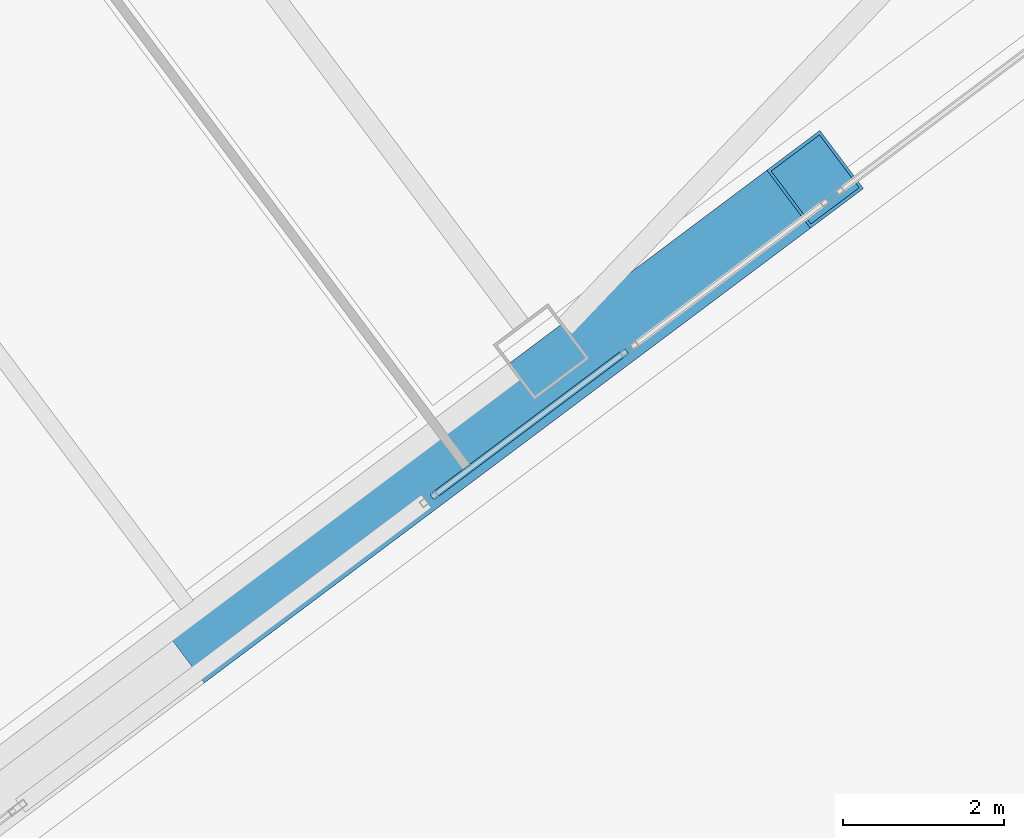
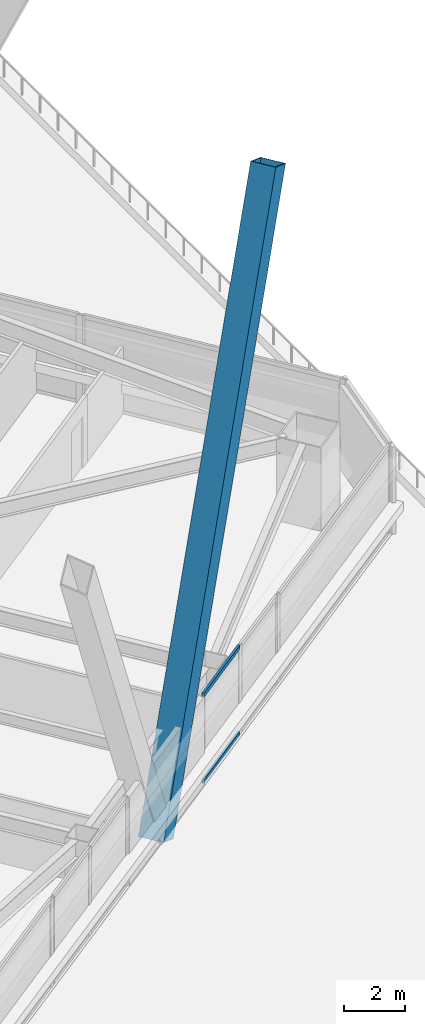
# One storey, part 59 of 83: 3 members, 1 element without a shape of its own.
"""IFC4 building model written with IfcOpenShell, lengths in metres."""

from ifc_helpers import new_model, si_unit, direction, frame, origin, origin_2d, place, context, subcontext, project, spatial, hollow_rectangle, extrude, material, material_profile, profile_set, type_object, element, aggregate, save


model = new_model("IFC4")

# Units and contexts
model_context = context("Model", 3, precision=1e-05, world=origin(), true_north=direction((0.0, 1.0)))
body_context = subcontext(model_context, "Body", "Model", "MODEL_VIEW")
ifc_project = project(units=[si_unit("LENGTHUNIT", "METRE"), si_unit("AREAUNIT", "SQUARE_METRE"), si_unit("VOLUMEUNIT", "CUBIC_METRE"), si_unit("PLANEANGLEUNIT", "RADIAN"), si_unit("MASSUNIT", "GRAM", prefix="KILO")], contexts=[model_context])

# Site, building, storey
site_placement = place(None, origin())
site = spatial("IfcSite", under=ifc_project, at=site_placement, CompositionType="ELEMENT")
building_placement = place(site_placement, origin())
building = spatial("IfcBuilding", under=site, at=building_placement, Name="Tashvorn Skyway Center", CompositionType="ELEMENT")
storey_placement = place(building_placement, frame((0.0, 0.0, 24.60009765625)))
storey = spatial("IfcBuildingStorey", under=building, at=storey_placement, Name="L05", CompositionType="ELEMENT", Elevation=24.60009765625)

# Curtain wall, members
ifc_material_1 = material(Name="Thermally broken bronze-anodized aluminium 6063-T6", Category="aluminium")
curtain_wall_type = type_object("IfcCurtainWallType", Name="CW-CW-Z1", PredefinedType="NOTDEFINED", material=ifc_material_1)
curtain_wall_placement = place(storey_placement, origin())
curtain_wall = element("IfcCurtainWall", 1, at=curtain_wall_placement, inside=storey, type_object=curtain_wall_type, Name="Tower 2 L05 South Unitised Curtain Wall Glazing Group 2", PredefinedType="NOTDEFINED")
ifc_material_profile_1 = material_profile(ifc_material_1, hollow_rectangle(XDim=0.0849609375, YDim=0.1650390625, WallThickness=0.0048828125, at=origin_2d()), Name="ALU-TRAN-85x165")
ifc_profile_set_1 = profile_set([ifc_material_profile_1], Name="Thermally broken bronze-anodized aluminium 6063-T6")
member_type_1 = type_object("IfcMemberType", Name="CWT-CW-Z1", PredefinedType="USERDEFINED", material=ifc_profile_set_1)
member_1_placement = place(storey_placement, frame((132.008544921875, 18.406494140625, 0.04248046875), z_axis=(-0.799990296182, -0.600012938206, 0.0), x_axis=(0.600012938206, -0.799990296182, 0.0)))
member_1 = element("IfcMember", 2, at=member_1_placement, type_object=member_type_1, Name="CW-Z1 transom 2.1", ObjectType="TRANSOM", PredefinedType="USERDEFINED", context=body_context, shape_type="SweptSolid", body=[
    extrude(hollow_rectangle(XDim=0.0849609375, YDim=0.1650390625, WallThickness=0.0048828125, at=origin_2d()), origin(), (0.0, 0.0, 1.0), 3.01904296875),
])
member_2_placement = place(storey_placement, frame((132.008544921875, 18.406494140625, 3.50732421875), z_axis=(-0.799990296182, -0.600012938206, 0.0), x_axis=(0.600012938206, -0.799990296182, 0.0)))
member_2 = element("IfcMember", 3, at=member_2_placement, type_object=member_type_1, Name="CW-Z1 transom 2.2", ObjectType="TRANSOM", PredefinedType="USERDEFINED", context=body_context, shape_type="SweptSolid", body=[
    extrude(hollow_rectangle(XDim=0.0849609375, YDim=0.1650390625, WallThickness=0.0048828125, at=origin_2d()), origin(), (0.0, 0.0, 1.0), 3.01904296875),
])
aggregate(curtain_wall, [member_1, member_2])

# Member
ifc_material_2 = material(Name="Steel ASTM A572 Grade 50", Category="steel")
ifc_material_profile_2 = material_profile(ifc_material_2, hollow_rectangle(XDim=0.89990234375, YDim=0.89990234375, WallThickness=0.0400390625, at=origin_2d()), Name="BOX900x900x40")
ifc_profile_set_2 = profile_set([ifc_material_profile_2], Name="Steel ASTM A572 Grade 50")
member_type_2 = type_object("IfcMemberType", Name="MEM-MB-900", PredefinedType="BRACE", material=ifc_profile_set_2)
member_3_placement = place(storey_placement, frame((126.827880859375, 14.89599609375, -0.22021484375), z_axis=(0.325940206158, 0.244449863725, 0.913239971822), x_axis=(-0.599991688754, 0.800006233367, 0.0)))
element("IfcMember", 4, at=member_3_placement, inside=storey, type_object=member_type_2, Name="Tower 2 Zone 1 S Chevron Mega-Brace R1", PredefinedType="BRACE", context=body_context, shape_type="SweptSolid", body=[
    extrude(hollow_rectangle(XDim=0.89990234375, YDim=0.89990234375, WallThickness=0.0400390625, at=origin_2d()), origin(), (0.0, 0.0, 1.0), 23.07177734375),
])

save(model, "model.ifc")
